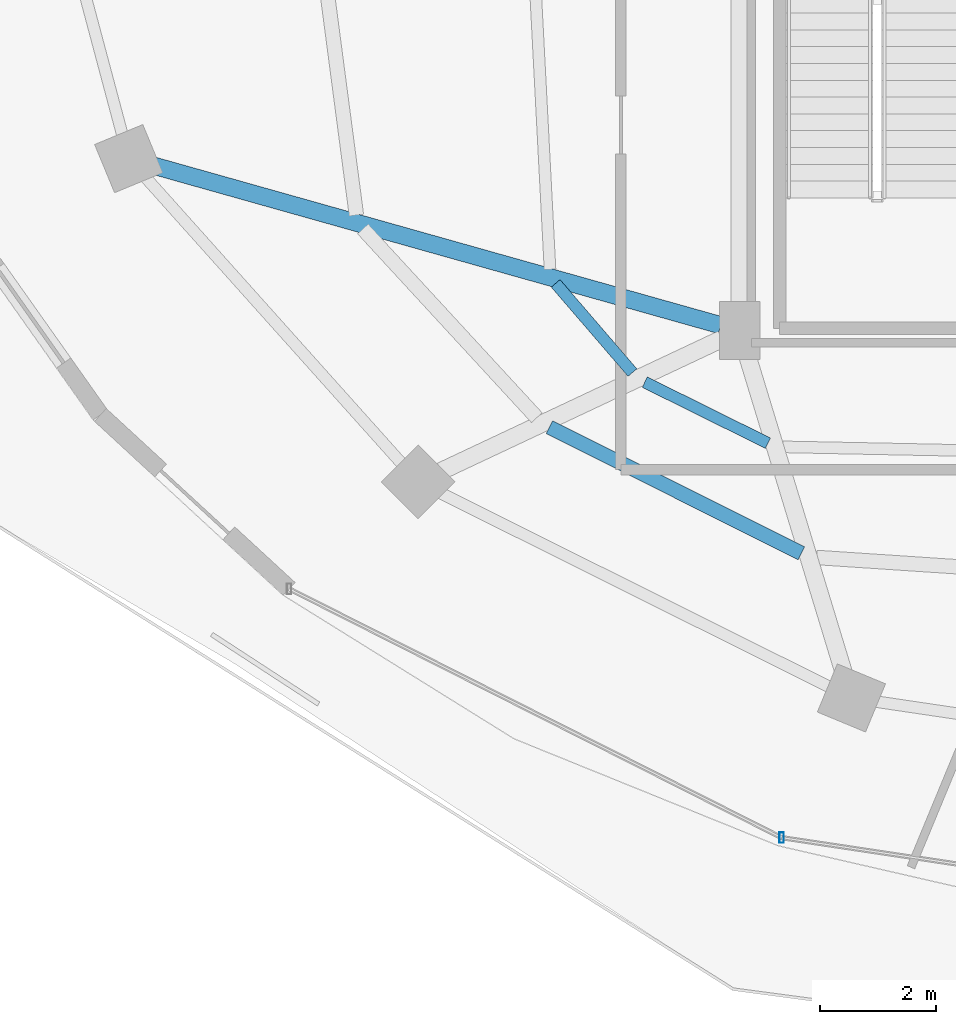
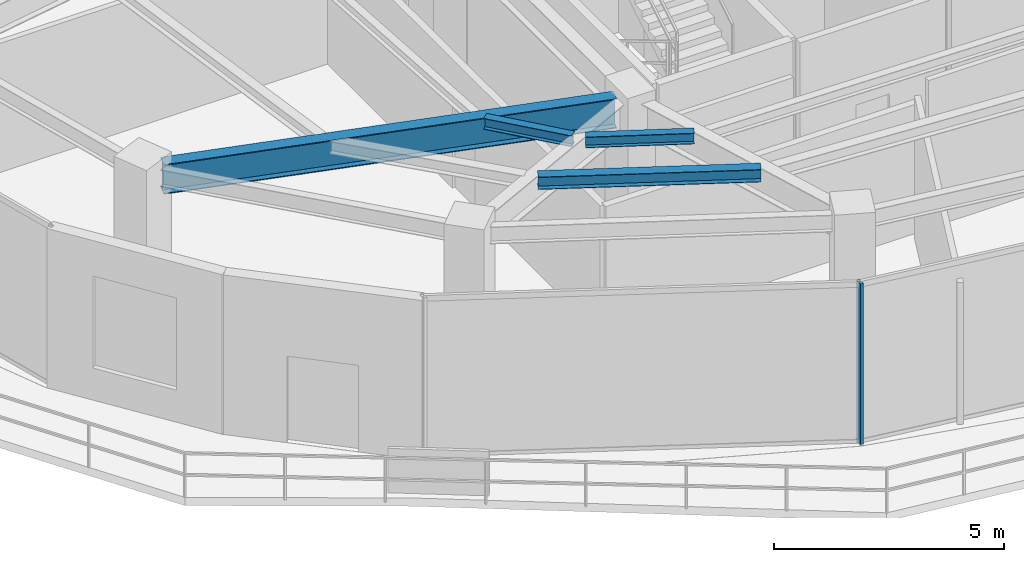
# One storey, part 4 of 27: 4 beams, 1 member, 1 element without a shape of its own.
"""IFC4 building model written with IfcOpenShell, lengths in metres."""

from ifc_helpers import new_model, si_unit, direction, frame, origin, origin_2d, place, context, subcontext, project, spatial, hollow_rectangle, i_section, extrude, material, material_profile, profile_set, type_object, element, aggregate, save


model = new_model("IFC4")

# Units and contexts
model_context = context("Model", 3, precision=1e-05, world=origin(), true_north=direction((0.0, 1.0)))
body_context = subcontext(model_context, "Body", "Model", "MODEL_VIEW")
ifc_project = project(units=[si_unit("LENGTHUNIT", "METRE"), si_unit("AREAUNIT", "SQUARE_METRE"), si_unit("VOLUMEUNIT", "CUBIC_METRE"), si_unit("PLANEANGLEUNIT", "RADIAN"), si_unit("MASSUNIT", "GRAM", prefix="KILO")], contexts=[model_context])

# Site, building, storey
site_placement = place(None, origin())
site = spatial("IfcSite", under=ifc_project, at=site_placement, CompositionType="ELEMENT")
building_placement = place(site_placement, origin())
building = spatial("IfcBuilding", under=site, at=building_placement, Name="Vorneva Point Tower", CompositionType="ELEMENT")
storey_placement = place(building_placement, frame((0.0, 0.0, 229.75)))
storey = spatial("IfcBuildingStorey", under=building, at=storey_placement, Name="L62", CompositionType="ELEMENT", Elevation=229.75)

# Beams
ifc_material_1 = material(Name="Steel S355", Category="steel")
ifc_material_profile_1 = material_profile(ifc_material_1, i_section(OverallWidth=0.300048828125, OverallDepth=0.7880859375, WebThickness=0.014404296875, FlangeThickness=0.02197265625, at=origin_2d()), Name="80Sh1")
ifc_profile_set_1 = profile_set([ifc_material_profile_1], Name="Steel S355")
beam_type_1 = type_object("IfcBeamType", Name="BM-GRD-80Sh1", PredefinedType="USERDEFINED", material=ifc_profile_set_1)
beam_1_placement = place(storey_placement, frame((17.126220703125, 19.299072265625, 3.845947265625), z_axis=(0.962603641144, -0.270913694847, 0.0), x_axis=(0.270913694847, 0.962603641144, 0.0)))
element("IfcBeam", 1, at=beam_1_placement, inside=storey, type_object=beam_type_1, Name="L62 Radial Primary Girder 10", ObjectType="GIRDER", PredefinedType="USERDEFINED", context=body_context, shape_type="SweptSolid", body=[
    extrude(i_section(OverallWidth=0.300048828125, OverallDepth=0.7880859375, WebThickness=0.014404296875, FlangeThickness=0.02197265625, at=origin_2d()), origin(), (0.0, 0.0, 1.0), 10.177001953125),
])
ifc_material_profile_2 = material_profile(ifc_material_1, i_section(OverallWidth=0.199951171875, OverallDepth=0.291015625, WebThickness=0.008056640625, FlangeThickness=0.010986328125, at=origin_2d()), Name="30Sh1")
ifc_profile_set_2 = profile_set([ifc_material_profile_2], Name="Steel S355")
beam_type_2 = type_object("IfcBeamType", Name="BM-SEC-30Sh1", PredefinedType="BEAM", material=ifc_profile_set_2)
beam_2_placement = place(storey_placement, frame((24.07373046875, 17.2646484375, 4.094482421875), z_axis=(0.652492456858, -0.757795218871, 0.0), x_axis=(0.757795218871, 0.652492456858, 0.0)))
element("IfcBeam", 2, at=beam_2_placement, inside=storey, type_object=beam_type_2, Name="L62 Secondary Floor Beam 2.10", PredefinedType="BEAM", context=body_context, shape_type="SweptSolid", body=[
    extrude(i_section(OverallWidth=0.199951171875, OverallDepth=0.291015625, WebThickness=0.008056640625, FlangeThickness=0.010986328125, at=origin_2d()), origin(), (0.0, 0.0, 1.0), 2.031005859375),
])
beam_3_placement = place(storey_placement, frame((25.612548828125, 15.559814453125, 4.094482421875), z_axis=(0.895946483514, -0.4441620185, 0.0), x_axis=(0.4441620185, 0.895946483514, 0.0)))
element("IfcBeam", 3, at=beam_3_placement, inside=storey, type_object=beam_type_2, Name="L62 Secondary Floor Beam 2.11", PredefinedType="BEAM", context=body_context, shape_type="SweptSolid", body=[
    extrude(i_section(OverallWidth=0.199951171875, OverallDepth=0.291015625, WebThickness=0.008056640625, FlangeThickness=0.010986328125, at=origin_2d()), origin(), (0.0, 0.0, 1.0), 2.3701171875),
])
ifc_material_profile_3 = material_profile(ifc_material_1, i_section(OverallWidth=0.2490234375, OverallDepth=0.333984375, WebThickness=0.008056640625, FlangeThickness=0.010986328125, at=origin_2d()), Name="35Sh1")
ifc_profile_set_3 = profile_set([ifc_material_profile_3], Name="Steel S355")
beam_type_3 = type_object("IfcBeamType", Name="BM-SEC-35Sh1", PredefinedType="BEAM", material=ifc_profile_set_3)
beam_4_placement = place(storey_placement, frame((23.965087890625, 14.78369140625, 4.072998046875), z_axis=(0.89410580889, -0.44785578316, 0.0), x_axis=(0.44785578316, 0.89410580889, 0.0)))
element("IfcBeam", 4, at=beam_4_placement, inside=storey, type_object=beam_type_3, Name="L62 Secondary Floor Beam 1.11", PredefinedType="BEAM", context=body_context, shape_type="SweptSolid", body=[
    extrude(i_section(OverallWidth=0.2490234375, OverallDepth=0.333984375, WebThickness=0.008056640625, FlangeThickness=0.010986328125, at=origin_2d()), origin(), (0.0, 0.0, 1.0), 4.865234375),
])

# Curtain wall, member
ifc_material_2 = material(Name="Pale anodised aluminium", Category="aluminium")
curtain_wall_type = type_object("IfcCurtainWallType", Name="CW-SKY-SYS", PredefinedType="NOTDEFINED", material=ifc_material_2)
curtain_wall_placement = place(storey_placement, origin())
curtain_wall = element("IfcCurtainWall", 5, at=curtain_wall_placement, inside=storey, type_object=curtain_wall_type, Name="L62 Unitised Curtain Wall CW-L62-R04", PredefinedType="NOTDEFINED")
ifc_material_profile_4 = material_profile(ifc_material_2, hollow_rectangle(XDim=0.074951171875, YDim=0.179931640625, WallThickness=0.00390625, at=origin_2d()), Name="AL-MUL 180x75x4")
ifc_profile_set_4 = profile_set([ifc_material_profile_4], Name="Pale anodised aluminium")
member_type = type_object("IfcMemberType", Name="CW-MUL-180", PredefinedType="MULLION", material=ifc_profile_set_4)
member_placement = place(storey_placement, frame((27.9736328125, 7.697998046875, -0.0400390625), z_axis=(0.0, 0.0, 1.0), x_axis=(1.0, 0.0, 0.0)))
member = element("IfcMember", 6, at=member_placement, type_object=member_type, Name="CW-L62-R04 Mullion 02", PredefinedType="MULLION", context=body_context, shape_type="SweptSolid", body=[
    extrude(hollow_rectangle(XDim=0.074951171875, YDim=0.179931640625, WallThickness=0.00390625, at=origin_2d()), origin(), (0.0, 0.0, 1.0), 4.31005859375),
])
aggregate(curtain_wall, [member])

save(model, "model.ifc")
